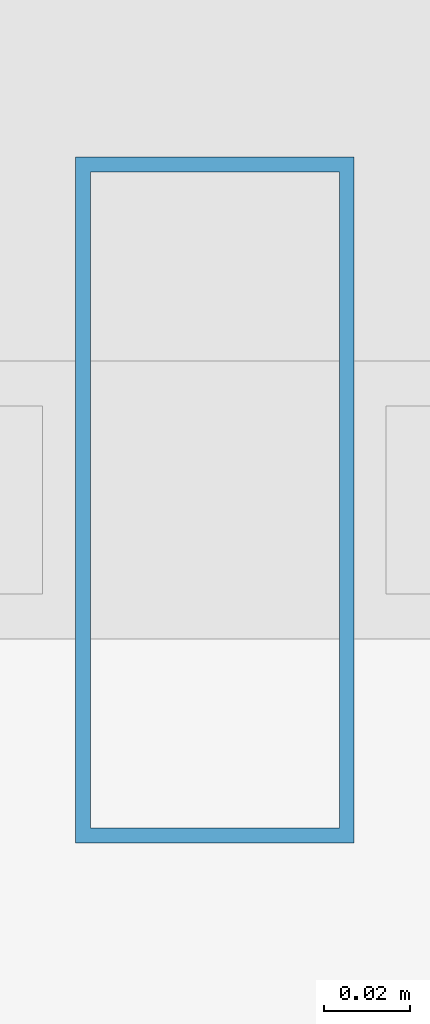
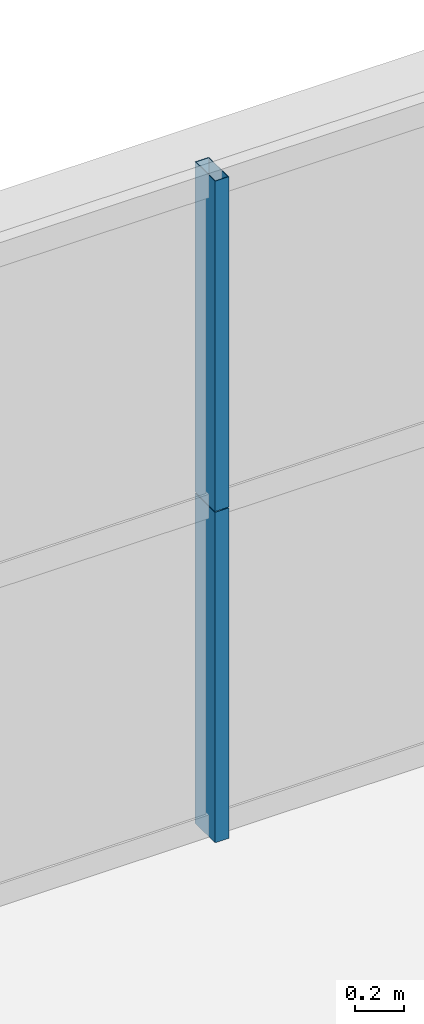
# One storey, part 27 of 38: 2 members, 1 element without a shape of its own.
"""IFC4 building model written with IfcOpenShell, lengths in metres."""

import ifcopenshell
import ifcopenshell.guid

model = None  # the IFC model being written
_history = None  # IfcOwnerHistory: only IFC2X3 demands one
_inside = {}  # id of a spatial element -> (the spatial element, [elements in it])
_under = {}  # id of a project, library or spatial element -> (it, [spatial elements below it])
_declared = {}  # id of a project -> (the project, [libraries it declares])
_typed = {}  # id of a type object -> (the type object, [elements of that type])
_made_of = {}  # id of a material, layer set ... -> (it, [elements and type objects made of it])


def new_model(schema):
    """Start an empty IFC model of exactly this schema.

    Asked for "IFC4X3", IfcOpenShell would pick the latest addendum, in which some entities
    have other attributes; the version numbers below select the first issue.
    IFC2X3 requires an IfcOwnerHistory on every rooted entity: one is made here for all.
    """
    global model, _history
    if schema == "IFC4X3":
        model = ifcopenshell.file(schema_version=(4, 3, 0, 0))
    else:
        model = ifcopenshell.file(schema=schema)
    _inside.clear()
    _under.clear()
    _declared.clear()
    _typed.clear()
    _made_of.clear()
    _history = None
    if model.schema == "IFC2X3":
        org = make("IfcOrganization", Name="unknown")
        user = make(
            "IfcPersonAndOrganization",
            ThePerson=make("IfcPerson", FamilyName="unknown"),
            TheOrganization=org,
        )
        app = make(
            "IfcApplication",
            ApplicationDeveloper=org,
            Version="unknown",
            ApplicationFullName="unknown",
            ApplicationIdentifier="unknown",
        )
        _history = make(
            "IfcOwnerHistory",
            OwningUser=user,
            OwningApplication=app,
            ChangeAction="ADDED",
            CreationDate=0,
        )
    return model


def make(cls, **values):
    """One entity of the class cls with the attributes given. An attribute that is None is left unset."""
    return model.create_entity(
        cls, **{name: value for name, value in values.items() if value is not None}
    )


def rooted(cls, **values):
    """An entity with a GlobalId (a new one), such as an element, a storey or a relation."""
    return make(cls, GlobalId=ifcopenshell.guid.new(), OwnerHistory=_history, **values)


def si_unit(unit_type, name, prefix=None):
    """IfcSIUnit, for example si_unit("LENGTHUNIT", "METRE", prefix="MILLI")."""
    return make("IfcSIUnit", UnitType=unit_type, Prefix=prefix, Name=name)


def assignment(units):
    """IfcUnitAssignment: the units of a project."""
    return None if units is None else make("IfcUnitAssignment", Units=units)


def point(xyz):
    """IfcCartesianPoint."""
    return None if xyz is None else make("IfcCartesianPoint", Coordinates=xyz)


def direction(xyz):
    """IfcDirection."""
    return None if xyz is None else make("IfcDirection", DirectionRatios=xyz)


def frame(location, z_axis=None, x_axis=None):
    """IfcAxis2Placement3D, a coordinate frame: its origin and axes. An axis left out is left unset."""
    return make(
        "IfcAxis2Placement3D",
        Location=point(location),
        Axis=direction(z_axis),
        RefDirection=direction(x_axis),
    )


def frame_2d(location, x_axis=None):
    """IfcAxis2Placement2D, a coordinate frame in the plane: its origin and x axis."""
    return make(
        "IfcAxis2Placement2D", Location=point(location), RefDirection=direction(x_axis)
    )


def origin():
    """The frame at (0, 0, 0) with its axes left unset."""
    return frame((0.0, 0.0, 0.0))


def origin_2d():
    """The frame at (0, 0) in the plane with its x axis left unset."""
    return frame_2d((0.0, 0.0))


def place(relative_to, where):
    """IfcLocalPlacement: puts the frame where relative to a parent placement (None: the world)."""
    return make(
        "IfcLocalPlacement", PlacementRelTo=relative_to, RelativePlacement=where
    )


def context(
    kind, dimensions, precision=None, world=None, true_north=None, identifier=None
):
    """IfcGeometricRepresentationContext, for example the 3D "Model" context."""
    return make(
        "IfcGeometricRepresentationContext",
        ContextIdentifier=identifier,
        ContextType=kind,
        CoordinateSpaceDimension=dimensions,
        Precision=precision,
        WorldCoordinateSystem=world,
        TrueNorth=true_north,
    )


def subcontext(parent, identifier, kind, view, scale=None):
    """IfcGeometricRepresentationSubContext, for example "Body" below "Model"."""
    return make(
        "IfcGeometricRepresentationSubContext",
        ContextIdentifier=identifier,
        ContextType=kind,
        ParentContext=parent,
        TargetScale=scale,
        TargetView=view,
    )


def project(units=None, contexts=None):
    """IfcProject with its units and contexts."""
    return rooted(
        "IfcProject",
        Name="project",
        RepresentationContexts=contexts,
        UnitsInContext=assignment(units),
    )


def spatial(cls, under=None, at=None, **own):
    """A site, building, storey or space (cls), placed at a placement, below another one or the project."""
    s = rooted(cls, ObjectPlacement=at, **own)
    if under is not None:
        _under.setdefault(under.id(), (under, []))[1].append(s)
    return s


def profile(cls, at=None, kind="AREA", **sizes):
    """A parametric profile (cls). Its sizes go by their IFC names, for example OverallWidth=200.0."""
    return make(cls, ProfileType=kind, Position=at, **sizes)


def hollow_rectangle(**sizes):
    """IfcRectangleHollowProfileDef."""
    return profile("IfcRectangleHollowProfileDef", **sizes)


def extrude(swept, where, along, depth):
    """IfcExtrudedAreaSolid: the profile swept, set in the frame where, extruded along a direction by depth."""
    return make(
        "IfcExtrudedAreaSolid",
        SweptArea=swept,
        Position=where,
        ExtrudedDirection=direction(along),
        Depth=depth,
    )


def shape(context_of_items, identifier, shape_type, items):
    """IfcShapeRepresentation: the items that make up one representation, for example the "Body"."""
    return make(
        "IfcShapeRepresentation",
        ContextOfItems=context_of_items,
        RepresentationIdentifier=identifier,
        RepresentationType=shape_type,
        Items=items,
    )


def source(mapping_origin, context_of_items, identifier, shape_type, items):
    """IfcRepresentationMap: a shape defined once, which mapped items show again and again."""
    return make(
        "IfcRepresentationMap",
        MappingOrigin=mapping_origin,
        MappedRepresentation=shape(context_of_items, identifier, shape_type, items),
    )


def transform(
    local_origin,
    x_axis=None,
    y_axis=None,
    z_axis=None,
    scale=None,
    scale2=None,
    scale3=None,
    uniform=True,
):
    """IfcCartesianTransformationOperator3D, or its non-uniform kind. x_axis, y_axis, z_axis: its Axis1, 2, 3."""
    if uniform:
        return make(
            "IfcCartesianTransformationOperator3D",
            Axis1=direction(x_axis),
            Axis2=direction(y_axis),
            LocalOrigin=point(local_origin),
            Scale=scale,
            Axis3=direction(z_axis),
        )
    return make(
        "IfcCartesianTransformationOperator3DnonUniform",
        Axis1=direction(x_axis),
        Axis2=direction(y_axis),
        LocalOrigin=point(local_origin),
        Scale=scale,
        Axis3=direction(z_axis),
        Scale2=scale2,
        Scale3=scale3,
    )


def mapped(mapping_source, mapping_target):
    """IfcMappedItem: shows the shape of a source again, moved by a transform."""
    return make(
        "IfcMappedItem", MappingSource=mapping_source, MappingTarget=mapping_target
    )


def material(Name=None, Category=None):
    """IfcMaterial."""
    return make("IfcMaterial", Name=Name, Category=Category)


def layer(
    of_material, thickness, ventilated=None, Name=None, Category=None, Priority=None
):
    """IfcMaterialLayer: one layer of a wall or slab, of a material (None: an air gap)."""
    return make(
        "IfcMaterialLayer",
        Material=of_material,
        LayerThickness=thickness,
        IsVentilated=ventilated,
        Name=Name,
        Category=Category,
        Priority=Priority,
    )


def layer_set(layers, Name=None):
    """IfcMaterialLayerSet."""
    return make("IfcMaterialLayerSet", MaterialLayers=layers, LayerSetName=Name)


def material_profile(
    of_material, cross_section, Name=None, Category=None, Priority=None
):
    """IfcMaterialProfile: a cross section and its material."""
    return make(
        "IfcMaterialProfile",
        Name=Name,
        Material=of_material,
        Profile=cross_section,
        Priority=Priority,
        Category=Category,
    )


def profile_set(profiles, Name=None, composite=None):
    """IfcMaterialProfileSet."""
    return make(
        "IfcMaterialProfileSet",
        Name=Name,
        MaterialProfiles=profiles,
        CompositeProfile=composite,
    )


def made_of(thing, what):
    """Note that an element or type object is made of a material, layer set ...; save() writes the relation."""
    if what is not None:
        _made_of.setdefault(what.id(), (what, []))[1].append(thing)
    return thing


def type_object(cls, material=None, **own):
    """A type object (cls), such as IfcWallType, which elements share."""
    return made_of(rooted(cls, **own), material)


def element(
    cls,
    number,
    at=None,
    inside=None,
    cuts=None,
    type_object=None,
    material=None,
    context=None,
    identifier="Body",
    shape_type=None,
    held_by="IfcProductDefinitionShape",
    body=None,
    shapes=None,
    **own,
):
    """One element of the class cls, such as IfcWall. Its Tag is "e" and its number.

    at: its placement. inside: the storey or other place that contains it. cuts: it is an
    opening in that element (IfcRelVoidsElement). A single representation is given by context,
    identifier, shape_type and body (its items); several are given by shapes. held_by: the class
    of the entity that holds the representations. save() writes the other relations.
    """
    e = rooted(cls, Tag="e%d" % number, ObjectPlacement=at, **own)
    if body is not None:
        shapes = [shape(context, identifier, shape_type, body)]
    if shapes is not None:
        e.Representation = make(held_by, Representations=shapes)
    if inside is not None:
        _inside.setdefault(inside.id(), (inside, []))[1].append(e)
    if cuts is not None:
        rooted(
            "IfcRelVoidsElement", RelatingBuildingElement=cuts, RelatedOpeningElement=e
        )
    if type_object is not None:
        _typed.setdefault(type_object.id(), (type_object, []))[1].append(e)
    return made_of(e, material)


def aggregate(whole, parts):
    """IfcRelAggregates: a whole, such as a stair, and the parts it consists of."""
    return rooted("IfcRelAggregates", RelatingObject=whole, RelatedObjects=parts)


def save(model, path):
    """Write the relations noted so far, then the file.

    IfcRelAggregates (storeys below a building ...), IfcRelContainedInSpatialStructure (elements
    in a storey), IfcRelDefinesByType, IfcRelAssociatesMaterial and IfcRelDeclares: one each for
    every whole, place, type object, material and project.
    """
    for whole, parts in _under.values():
        aggregate(whole, parts)
    for where, things in _inside.values():
        rooted(
            "IfcRelContainedInSpatialStructure",
            RelatedElements=things,
            RelatingStructure=where,
        )
    for kind, things in _typed.values():
        rooted("IfcRelDefinesByType", RelatedObjects=things, RelatingType=kind)
    for what, things in _made_of.values():
        rooted("IfcRelAssociatesMaterial", RelatedObjects=things, RelatingMaterial=what)
    for by, libraries in _declared.values():
        rooted("IfcRelDeclares", RelatingContext=by, RelatedDefinitions=libraries)
    model.write(path)


model = new_model("IFC4")

# Units and contexts
model_context = context("Model", 3, precision=1e-05, world=origin(), true_north=direction((0.0, 1.0)))
body_context = subcontext(model_context, "Body", "Model", "MODEL_VIEW")
ifc_project = project(units=[si_unit("LENGTHUNIT", "METRE"), si_unit("AREAUNIT", "SQUARE_METRE"), si_unit("VOLUMEUNIT", "CUBIC_METRE"), si_unit("PLANEANGLEUNIT", "RADIAN"), si_unit("MASSUNIT", "GRAM", prefix="KILO"), si_unit("THERMODYNAMICTEMPERATUREUNIT", "KELVIN"), si_unit("POWERUNIT", "WATT")], contexts=[model_context])

# Site, building, storey
site_placement = place(None, origin())
site = spatial("IfcSite", under=ifc_project, at=site_placement, CompositionType="ELEMENT")
building_placement = place(site_placement, origin())
building = spatial("IfcBuilding", under=site, at=building_placement, Name="Yuzanri Waterfront Tower", CompositionType="ELEMENT")
storey_placement = place(building_placement, frame((0.0, 0.0, 209.0)))
storey = spatial("IfcBuildingStorey", under=building, at=storey_placement, Name="L55", CompositionType="ELEMENT", Elevation=209.0)

# Curtain wall, members
ifc_material_1 = material(Name="Anodized Architectural Bronze", Category="metal")
ifc_layer = layer(ifc_material_1, 0.159912109375)
ifc_layer_set = layer_set([ifc_layer], Name="Anodized Architectural Bronze")
curtain_wall_type = type_object("IfcCurtainWallType", Name="Anodized Bronze Mid-Rise Residential Acoustic Unitized Curtain Wall 7200", PredefinedType="NOTDEFINED", material=ifc_layer_set)
curtain_wall_placement = place(storey_placement, origin())
curtain_wall = element("IfcCurtainWall", 1, at=curtain_wall_placement, inside=storey, type_object=curtain_wall_type, Name="L55 Curtain Wall CW-L55-NL", PredefinedType="NOTDEFINED")
ifc_material_2 = material(Name="Anodized Architectural Bronze", Category="metal")
ifc_material_profile = material_profile(ifc_material_2, hollow_rectangle(XDim=0.06494140625, YDim=0.159912109375, WallThickness=0.00341796875, at=origin_2d()), Name="CWM 65x160")
ifc_profile_set = profile_set([ifc_material_profile], Name="Anodized Architectural Bronze")
member_type = type_object("IfcMemberType", Name="Anodized Bronze Upper-Zone Curtain-Wall Mullion 65x160", PredefinedType="MULLION", material=ifc_profile_set)
shared_shape = source(origin(), body_context, "Body", "SweptSolid", [
    extrude(hollow_rectangle(XDim=0.06494140625, YDim=0.159912109375, WallThickness=0.00341796875, at=origin_2d()), origin(), (0.0, 0.0, 1.0), 1.637939453125),
])
member_1_placement = place(storey_placement, frame((29.425048828125, 47.75, 0.0), z_axis=(0.0, 0.0, 1.0), x_axis=(1.0, 0.0, 0.0)))
member_1 = element("IfcMember", 2, at=member_1_placement, type_object=member_type, Name="CW-L55-NL Lower Mullion 01", PredefinedType="MULLION", context=body_context, shape_type="MappedRepresentation", body=[
    mapped(shared_shape, transform((0.0, 0.0, 0.0), scale=1.0)),
])
member_2_placement = place(storey_placement, frame((29.425048828125, 47.75, 1.64208984375), z_axis=(0.0, 0.0, 1.0), x_axis=(1.0, 0.0, 0.0)))
member_2 = element("IfcMember", 3, at=member_2_placement, type_object=member_type, Name="CW-L55-NL Upper Mullion 01", PredefinedType="MULLION", context=body_context, shape_type="MappedRepresentation", body=[
    mapped(shared_shape, transform((0.0, 0.0, 0.0), scale=1.0)),
])
aggregate(curtain_wall, [member_1, member_2])

save(model, "model.ifc")
